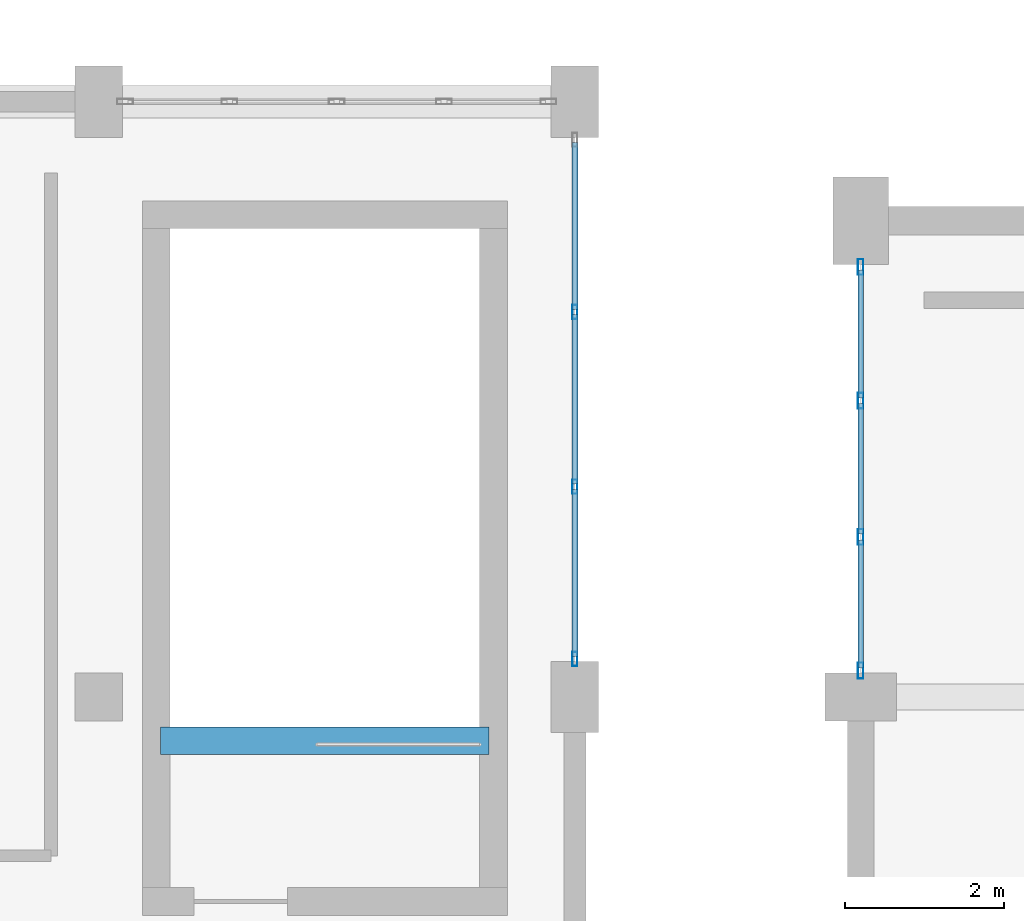
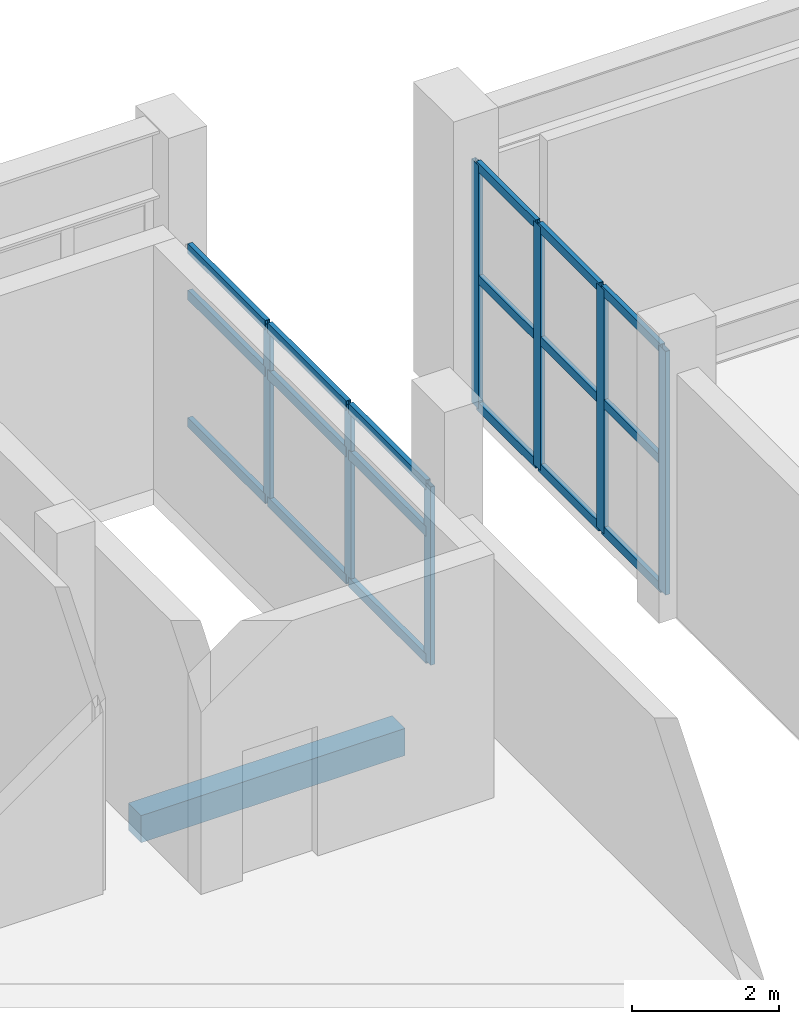
# One storey, part 24 of 62: 25 members, 1 beam, 2 elements without a shape of their own.
"""IFC4 building model written with IfcOpenShell, lengths in metres."""

from ifc_helpers import new_model, si_unit, direction, frame, origin, origin_2d, place, context, subcontext, project, spatial, rectangle, hollow_rectangle, extrude, material, layer, layer_set, material_profile, profile_set, type_object, element, aggregate, save


model = new_model("IFC4")

# Units and contexts
model_context = context("Model", 3, precision=1e-05, world=origin(), true_north=direction((0.0, 1.0)))
body_context = subcontext(model_context, "Body", "Model", "MODEL_VIEW")
ifc_project = project(units=[si_unit("LENGTHUNIT", "METRE"), si_unit("AREAUNIT", "SQUARE_METRE"), si_unit("VOLUMEUNIT", "CUBIC_METRE"), si_unit("PLANEANGLEUNIT", "RADIAN"), si_unit("MASSUNIT", "GRAM", prefix="KILO")], contexts=[model_context])

# Site, building, storey
site_placement = place(None, origin())
site = spatial("IfcSite", under=ifc_project, at=site_placement, CompositionType="ELEMENT")
building_placement = place(site_placement, origin())
building = spatial("IfcBuilding", under=site, at=building_placement, Name="Vaelkrest Opera House", CompositionType="ELEMENT")
storey_placement = place(building_placement, frame((0.0, 0.0, 19.800048828125)))
storey = spatial("IfcBuildingStorey", under=building, at=storey_placement, Name="L04", CompositionType="ELEMENT", Elevation=19.800048828125)

# Curtain wall, members
ifc_material_1 = material(Name="Dark bronze anodized aluminium", Category="aluminium")
ifc_layer_1 = layer(ifc_material_1, 0.219970703125)
ifc_layer_set_1 = layer_set([ifc_layer_1], Name="Dark bronze anodized aluminium")
curtain_wall_type_1 = type_object("IfcCurtainWallType", Name="CW05", PredefinedType="NOTDEFINED", material=ifc_layer_set_1)
curtain_wall_1_placement = place(storey_placement, origin())
curtain_wall_1 = element("IfcCurtainWall", 1, at=curtain_wall_1_placement, inside=storey, type_object=curtain_wall_type_1, Name="Curtain wall CW-L04-147", PredefinedType="NOTDEFINED")
ifc_material_profile_1 = material_profile(ifc_material_1, hollow_rectangle(XDim=0.06494140625, YDim=0.179931640625, WallThickness=0.00390625, at=origin_2d()), Name="CWM65X180")
ifc_profile_set_1 = profile_set([ifc_material_profile_1], Name="Dark bronze anodized aluminium")
member_type_1 = type_object("IfcMemberType", Name="CWM01", PredefinedType="MULLION", material=ifc_profile_set_1)
member_1_placement = place(storey_placement, frame((-33.60009765625, 15.05078125, 0.0), z_axis=(0.0, 0.0, 1.0), x_axis=(1.0, 0.0, 0.0)))
member_1 = element("IfcMember", 2, at=member_1_placement, type_object=member_type_1, Name="CW05 mullion 2", PredefinedType="MULLION", context=body_context, shape_type="SweptSolid", body=[
    extrude(hollow_rectangle(XDim=0.06494140625, YDim=0.179931640625, WallThickness=0.00390625, at=origin_2d()), origin(), (0.0, 0.0, 1.0), 2.9580078125),
])
member_2_placement = place(storey_placement, frame((-33.60009765625, 12.849365234375, 0.0), z_axis=(0.0, 0.0, 1.0), x_axis=(1.0, 0.0, 0.0)))
member_2 = element("IfcMember", 3, at=member_2_placement, type_object=member_type_1, Name="CW05 mullion 3", PredefinedType="MULLION", context=body_context, shape_type="SweptSolid", body=[
    extrude(hollow_rectangle(XDim=0.06494140625, YDim=0.179931640625, WallThickness=0.00390625, at=origin_2d()), origin(), (0.0, 0.0, 1.0), 2.9580078125),
])
member_3_placement = place(storey_placement, frame((-33.60009765625, 10.680419921875, 0.0), z_axis=(0.0, 0.0, 1.0), x_axis=(1.0, 0.0, 0.0)))
member_3 = element("IfcMember", 4, at=member_3_placement, type_object=member_type_1, Name="CW05 mullion 4", PredefinedType="MULLION", context=body_context, shape_type="SweptSolid", body=[
    extrude(hollow_rectangle(XDim=0.06494140625, YDim=0.179931640625, WallThickness=0.00390625, at=origin_2d()), origin(), (0.0, 0.0, 1.0), 2.9580078125),
])

ifc_layer_2 = layer(ifc_material_1, 0.18994140625)
ifc_layer_set_2 = layer_set([ifc_layer_2], Name="Dark bronze anodized aluminium")
curtain_wall_type_2 = type_object("IfcCurtainWallType", Name="CW02", PredefinedType="NOTDEFINED", material=ifc_layer_set_2)
curtain_wall_2_placement = place(storey_placement, origin())
curtain_wall_2 = element("IfcCurtainWall", 5, at=curtain_wall_2_placement, inside=storey, type_object=curtain_wall_type_2, Name="Curtain wall CW-L04-063", PredefinedType="NOTDEFINED")
ifc_material_profile_2 = material_profile(ifc_material_1, hollow_rectangle(XDim=0.070068359375, YDim=0.199951171875, WallThickness=0.004150390625, at=origin_2d()), Name="CWM70X200")
ifc_profile_set_2 = profile_set([ifc_material_profile_2], Name="Dark bronze anodized aluminium")
member_type_2 = type_object("IfcMemberType", Name="CWM02", PredefinedType="MULLION", material=ifc_profile_set_2)
member_4_placement = place(storey_placement, frame((-30.0, 10.532958984375, 0.0), z_axis=(0.0, 0.0, 1.0), x_axis=(-1.0, 0.0, 0.0)))
member_4 = element("IfcMember", 6, at=member_4_placement, type_object=member_type_2, Name="CW02 mullion 1", PredefinedType="MULLION", context=body_context, shape_type="SweptSolid", body=[
    extrude(hollow_rectangle(XDim=0.070068359375, YDim=0.199951171875, WallThickness=0.004150390625, at=origin_2d()), origin(), (0.0, 0.0, 1.0), 4.04296875),
])
member_5_placement = place(storey_placement, frame((-30.0, 12.216064453125, 0.0), z_axis=(0.0, 0.0, 1.0), x_axis=(-1.0, 0.0, 0.0)))
member_5 = element("IfcMember", 7, at=member_5_placement, type_object=member_type_2, Name="CW02 mullion 2", PredefinedType="MULLION", context=body_context, shape_type="SweptSolid", body=[
    extrude(hollow_rectangle(XDim=0.070068359375, YDim=0.199951171875, WallThickness=0.004150390625, at=origin_2d()), origin(), (0.0, 0.0, 1.0), 4.04296875),
])
member_6_placement = place(storey_placement, frame((-30.0, 13.93408203125, 0.0), z_axis=(0.0, 0.0, 1.0), x_axis=(-1.0, 0.0, 0.0)))
member_6 = element("IfcMember", 8, at=member_6_placement, type_object=member_type_2, Name="CW02 mullion 3", PredefinedType="MULLION", context=body_context, shape_type="SweptSolid", body=[
    extrude(hollow_rectangle(XDim=0.070068359375, YDim=0.199951171875, WallThickness=0.004150390625, at=origin_2d()), origin(), (0.0, 0.0, 1.0), 4.04296875),
])
member_7_placement = place(storey_placement, frame((-30.0, 15.616943359375, 0.0), z_axis=(0.0, 0.0, 1.0), x_axis=(-1.0, 0.0, 0.0)))
member_7 = element("IfcMember", 9, at=member_7_placement, type_object=member_type_2, Name="CW02 mullion 4", PredefinedType="MULLION", context=body_context, shape_type="SweptSolid", body=[
    extrude(hollow_rectangle(XDim=0.070068359375, YDim=0.199951171875, WallThickness=0.004150390625, at=origin_2d()), origin(), (0.0, 0.0, 1.0), 4.04296875),
])
ifc_material_profile_3 = material_profile(ifc_material_1, hollow_rectangle(XDim=0.070068359375, YDim=0.14990234375, WallThickness=0.004150390625, at=origin_2d()), Name="CWT70X150")
ifc_profile_set_3 = profile_set([ifc_material_profile_3], Name="Dark bronze anodized aluminium")
member_type_3 = type_object("IfcMemberType", Name="CWT02", PredefinedType="USERDEFINED", material=ifc_profile_set_3)
member_8_placement = place(storey_placement, frame((-30.0, 10.568115234375, 0.034912109375), z_axis=(0.0, 1.0, 0.0), x_axis=(-1.0, 0.0, 0.0)))
member_8 = element("IfcMember", 10, at=member_8_placement, type_object=member_type_3, Name="CW02 transom 1.1", ObjectType="TRANSOM", PredefinedType="USERDEFINED", context=body_context, shape_type="SweptSolid", body=[
    extrude(hollow_rectangle(XDim=0.070068359375, YDim=0.14990234375, WallThickness=0.004150390625, at=origin_2d()), origin(), (0.0, 0.0, 1.0), 1.61279296875),
])
member_9_placement = place(storey_placement, frame((-30.0, 10.568115234375, 2.14990234375), z_axis=(0.0, 1.0, 0.0), x_axis=(-1.0, 0.0, 0.0)))
member_9 = element("IfcMember", 11, at=member_9_placement, type_object=member_type_3, Name="CW02 transom 1.2", ObjectType="TRANSOM", PredefinedType="USERDEFINED", context=body_context, shape_type="SweptSolid", body=[
    extrude(hollow_rectangle(XDim=0.070068359375, YDim=0.14990234375, WallThickness=0.004150390625, at=origin_2d()), origin(), (0.0, 0.0, 1.0), 1.61279296875),
])
member_10_placement = place(storey_placement, frame((-30.0, 10.568115234375, 4.008056640625), z_axis=(0.0, 1.0, 0.0), x_axis=(-1.0, 0.0, 0.0)))
member_10 = element("IfcMember", 12, at=member_10_placement, type_object=member_type_3, Name="CW02 transom 1.3", ObjectType="TRANSOM", PredefinedType="USERDEFINED", context=body_context, shape_type="SweptSolid", body=[
    extrude(hollow_rectangle(XDim=0.070068359375, YDim=0.14990234375, WallThickness=0.004150390625, at=origin_2d()), origin(), (0.0, 0.0, 1.0), 1.61279296875),
])
member_11_placement = place(storey_placement, frame((-30.0, 12.2509765625, 0.034912109375), z_axis=(0.0, 1.0, 0.0), x_axis=(-1.0, 0.0, 0.0)))
member_11 = element("IfcMember", 13, at=member_11_placement, type_object=member_type_3, Name="CW02 transom 2.1", ObjectType="TRANSOM", PredefinedType="USERDEFINED", context=body_context, shape_type="SweptSolid", body=[
    extrude(hollow_rectangle(XDim=0.070068359375, YDim=0.14990234375, WallThickness=0.004150390625, at=origin_2d()), origin(), (0.0, 0.0, 1.0), 1.64794921875),
])
member_12_placement = place(storey_placement, frame((-30.0, 12.2509765625, 2.14990234375), z_axis=(0.0, 1.0, 0.0), x_axis=(-1.0, 0.0, 0.0)))
member_12 = element("IfcMember", 14, at=member_12_placement, type_object=member_type_3, Name="CW02 transom 2.2", ObjectType="TRANSOM", PredefinedType="USERDEFINED", context=body_context, shape_type="SweptSolid", body=[
    extrude(hollow_rectangle(XDim=0.070068359375, YDim=0.14990234375, WallThickness=0.004150390625, at=origin_2d()), origin(), (0.0, 0.0, 1.0), 1.64794921875),
])
member_13_placement = place(storey_placement, frame((-30.0, 12.2509765625, 4.008056640625), z_axis=(0.0, 1.0, 0.0), x_axis=(-1.0, 0.0, 0.0)))
member_13 = element("IfcMember", 15, at=member_13_placement, type_object=member_type_3, Name="CW02 transom 2.3", ObjectType="TRANSOM", PredefinedType="USERDEFINED", context=body_context, shape_type="SweptSolid", body=[
    extrude(hollow_rectangle(XDim=0.070068359375, YDim=0.14990234375, WallThickness=0.004150390625, at=origin_2d()), origin(), (0.0, 0.0, 1.0), 1.64794921875),
])
member_14_placement = place(storey_placement, frame((-30.0, 13.968994140625, 0.034912109375), z_axis=(0.0, 1.0, 0.0), x_axis=(-1.0, 0.0, 0.0)))
member_14 = element("IfcMember", 16, at=member_14_placement, type_object=member_type_3, Name="CW02 transom 3.1", ObjectType="TRANSOM", PredefinedType="USERDEFINED", context=body_context, shape_type="SweptSolid", body=[
    extrude(hollow_rectangle(XDim=0.070068359375, YDim=0.14990234375, WallThickness=0.004150390625, at=origin_2d()), origin(), (0.0, 0.0, 1.0), 1.613037109375),
])
member_15_placement = place(storey_placement, frame((-30.0, 13.968994140625, 2.14990234375), z_axis=(0.0, 1.0, 0.0), x_axis=(-1.0, 0.0, 0.0)))
member_15 = element("IfcMember", 17, at=member_15_placement, type_object=member_type_3, Name="CW02 transom 3.2", ObjectType="TRANSOM", PredefinedType="USERDEFINED", context=body_context, shape_type="SweptSolid", body=[
    extrude(hollow_rectangle(XDim=0.070068359375, YDim=0.14990234375, WallThickness=0.004150390625, at=origin_2d()), origin(), (0.0, 0.0, 1.0), 1.613037109375),
])
member_16_placement = place(storey_placement, frame((-30.0, 13.968994140625, 4.008056640625), z_axis=(0.0, 1.0, 0.0), x_axis=(-1.0, 0.0, 0.0)))
member_16 = element("IfcMember", 18, at=member_16_placement, type_object=member_type_3, Name="CW02 transom 3.3", ObjectType="TRANSOM", PredefinedType="USERDEFINED", context=body_context, shape_type="SweptSolid", body=[
    extrude(hollow_rectangle(XDim=0.070068359375, YDim=0.14990234375, WallThickness=0.004150390625, at=origin_2d()), origin(), (0.0, 0.0, 1.0), 1.613037109375),
])
aggregate(curtain_wall_2, [member_4, member_5, member_6, member_7, member_8, member_9, member_10, member_11, member_12, member_13, member_14, member_15, member_16])

# Member
ifc_material_profile_4 = material_profile(ifc_material_1, hollow_rectangle(XDim=0.074951171875, YDim=0.159912109375, WallThickness=0.00439453125, at=origin_2d()), Name="CWT75X160")
ifc_profile_set_4 = profile_set([ifc_material_profile_4], Name="Dark bronze anodized aluminium")
member_type_4 = type_object("IfcMemberType", Name="CWT03", PredefinedType="USERDEFINED", material=ifc_profile_set_4)
member_17_placement = place(storey_placement, frame((-33.60009765625, 17.18701171875, 0.037353515625), z_axis=(0.0, -1.0, 0.0), x_axis=(1.0, 0.0, 0.0)))
member_17 = element("IfcMember", 19, at=member_17_placement, type_object=member_type_4, Name="CW05 transom 1.1", ObjectType="TRANSOM", PredefinedType="USERDEFINED", context=body_context, shape_type="SweptSolid", body=[
    extrude(hollow_rectangle(XDim=0.074951171875, YDim=0.159912109375, WallThickness=0.00439453125, at=origin_2d()), origin(), (0.0, 0.0, 1.0), 2.103759765625),
])

member_18_placement = place(storey_placement, frame((-33.60009765625, 17.18701171875, 2.14990234375), z_axis=(0.0, -1.0, 0.0), x_axis=(1.0, 0.0, 0.0)))
member_18 = element("IfcMember", 20, at=member_18_placement, type_object=member_type_4, Name="CW05 transom 1.2", ObjectType="TRANSOM", PredefinedType="USERDEFINED", context=body_context, shape_type="SweptSolid", body=[
    extrude(hollow_rectangle(XDim=0.074951171875, YDim=0.159912109375, WallThickness=0.00439453125, at=origin_2d()), origin(), (0.0, 0.0, 1.0), 2.103759765625),
])

member_19_placement = place(storey_placement, frame((-33.60009765625, 17.18701171875, 2.92041015625), z_axis=(0.0, -1.0, 0.0), x_axis=(1.0, 0.0, 0.0)))
member_19 = element("IfcMember", 21, at=member_19_placement, type_object=member_type_4, Name="CW05 transom 1.3", ObjectType="TRANSOM", PredefinedType="USERDEFINED", context=body_context, shape_type="SweptSolid", body=[
    extrude(hollow_rectangle(XDim=0.074951171875, YDim=0.159912109375, WallThickness=0.00439453125, at=origin_2d()), origin(), (0.0, 0.0, 1.0), 2.103759765625),
])

member_20_placement = place(storey_placement, frame((-33.60009765625, 15.01806640625, 0.037353515625), z_axis=(0.0, -1.0, 0.0), x_axis=(1.0, 0.0, 0.0)))
member_20 = element("IfcMember", 22, at=member_20_placement, type_object=member_type_4, Name="CW05 transom 2.1", ObjectType="TRANSOM", PredefinedType="USERDEFINED", context=body_context, shape_type="SweptSolid", body=[
    extrude(hollow_rectangle(XDim=0.074951171875, YDim=0.159912109375, WallThickness=0.00439453125, at=origin_2d()), origin(), (0.0, 0.0, 1.0), 2.13623046875),
])

member_21_placement = place(storey_placement, frame((-33.60009765625, 15.01806640625, 2.14990234375), z_axis=(0.0, -1.0, 0.0), x_axis=(1.0, 0.0, 0.0)))
member_21 = element("IfcMember", 23, at=member_21_placement, type_object=member_type_4, Name="CW05 transom 2.2", ObjectType="TRANSOM", PredefinedType="USERDEFINED", context=body_context, shape_type="SweptSolid", body=[
    extrude(hollow_rectangle(XDim=0.074951171875, YDim=0.159912109375, WallThickness=0.00439453125, at=origin_2d()), origin(), (0.0, 0.0, 1.0), 2.13623046875),
])

member_22_placement = place(storey_placement, frame((-33.60009765625, 15.01806640625, 2.92041015625), z_axis=(0.0, -1.0, 0.0), x_axis=(1.0, 0.0, 0.0)))
member_22 = element("IfcMember", 24, at=member_22_placement, type_object=member_type_4, Name="CW05 transom 2.3", ObjectType="TRANSOM", PredefinedType="USERDEFINED", context=body_context, shape_type="SweptSolid", body=[
    extrude(hollow_rectangle(XDim=0.074951171875, YDim=0.159912109375, WallThickness=0.00439453125, at=origin_2d()), origin(), (0.0, 0.0, 1.0), 2.13623046875),
])

member_23_placement = place(storey_placement, frame((-33.60009765625, 12.81689453125, 0.037353515625), z_axis=(0.0, -1.0, 0.0), x_axis=(1.0, 0.0, 0.0)))
member_23 = element("IfcMember", 25, at=member_23_placement, type_object=member_type_4, Name="CW05 transom 3.1", ObjectType="TRANSOM", PredefinedType="USERDEFINED", context=body_context, shape_type="SweptSolid", body=[
    extrude(hollow_rectangle(XDim=0.074951171875, YDim=0.159912109375, WallThickness=0.00439453125, at=origin_2d()), origin(), (0.0, 0.0, 1.0), 2.10400390625),
])

member_24_placement = place(storey_placement, frame((-33.60009765625, 12.81689453125, 2.14990234375), z_axis=(0.0, -1.0, 0.0), x_axis=(1.0, 0.0, 0.0)))
member_24 = element("IfcMember", 26, at=member_24_placement, type_object=member_type_4, Name="CW05 transom 3.2", ObjectType="TRANSOM", PredefinedType="USERDEFINED", context=body_context, shape_type="SweptSolid", body=[
    extrude(hollow_rectangle(XDim=0.074951171875, YDim=0.159912109375, WallThickness=0.00439453125, at=origin_2d()), origin(), (0.0, 0.0, 1.0), 2.10400390625),
])

member_25_placement = place(storey_placement, frame((-33.60009765625, 12.81689453125, 2.92041015625), z_axis=(0.0, -1.0, 0.0), x_axis=(1.0, 0.0, 0.0)))
member_25 = element("IfcMember", 27, at=member_25_placement, type_object=member_type_4, Name="CW05 transom 3.3", ObjectType="TRANSOM", PredefinedType="USERDEFINED", context=body_context, shape_type="SweptSolid", body=[
    extrude(hollow_rectangle(XDim=0.074951171875, YDim=0.159912109375, WallThickness=0.00439453125, at=origin_2d()), origin(), (0.0, 0.0, 1.0), 2.10400390625),
])

aggregate(curtain_wall_1, [member_1, member_2, member_3, member_17, member_18, member_19, member_20, member_21, member_22, member_23, member_24, member_25])

# Beam
ifc_material_2 = material(Name="Concrete C50/60", Category="concrete")
ifc_material_profile_5 = material_profile(ifc_material_2, rectangle(XDim=0.35009765625, YDim=0.449951171875, at=origin_2d()), Name="RCB350X450")
ifc_profile_set_5 = profile_set([ifc_material_profile_5], Name="Concrete C50/60")
beam_type = type_object("IfcBeamType", Name="LN01", PredefinedType="LINTEL", material=ifc_profile_set_5)
beam_placement = place(storey_placement, frame((-38.820068359375, 9.64990234375, -0.22509765625), z_axis=(1.0, 0.0, 0.0), x_axis=(0.0, 1.0, 0.0)))
element("IfcBeam", 28, at=beam_placement, inside=storey, type_object=beam_type, Name="Stairwell trimmer beam ST08 L04", PredefinedType="LINTEL", context=body_context, shape_type="SweptSolid", body=[
    extrude(rectangle(XDim=0.35009765625, YDim=0.449951171875, at=origin_2d()), origin(), (0.0, 0.0, 1.0), 4.14013671875),
])

save(model, "model.ifc")
